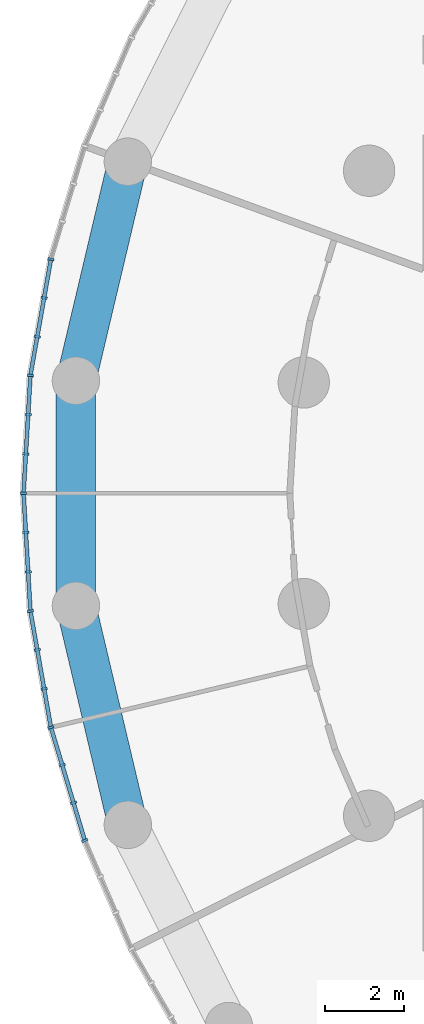
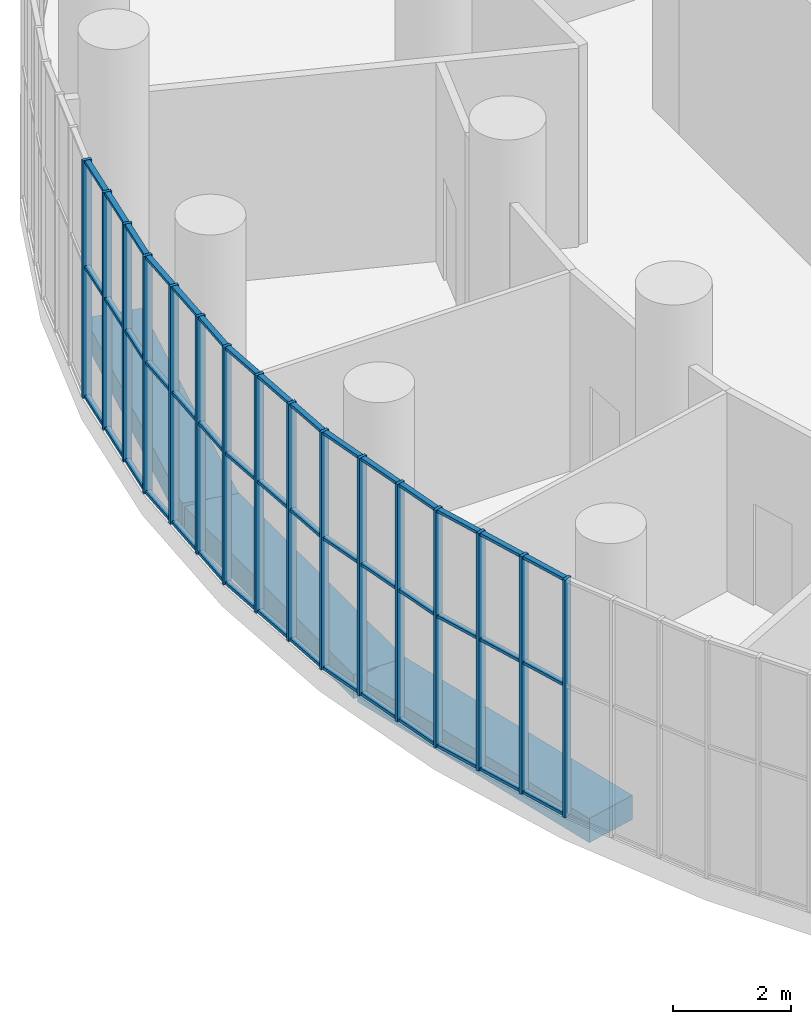
# One storey, part 4 of 21: 31 members, 3 beams, 6 elements without a shape of their own.
"""IFC4 building model written with IfcOpenShell, lengths in metres."""

from ifc_helpers import new_model, si_unit, direction, frame, origin, origin_2d, place, context, subcontext, project, spatial, rectangle, extrude, material, layer, layer_set, material_profile, profile_set, type_object, element, aggregate, save


model = new_model("IFC4")

# Units and contexts
model_context = context("Model", 3, precision=1e-05, world=origin(), true_north=direction((0.0, 1.0)))
body_context = subcontext(model_context, "Body", "Model", "MODEL_VIEW")
ifc_project = project(units=[si_unit("LENGTHUNIT", "METRE"), si_unit("AREAUNIT", "SQUARE_METRE"), si_unit("VOLUMEUNIT", "CUBIC_METRE"), si_unit("PLANEANGLEUNIT", "RADIAN"), si_unit("MASSUNIT", "GRAM", prefix="KILO")], contexts=[model_context])

# Site, building, storey
site_placement = place(None, origin())
site = spatial("IfcSite", under=ifc_project, at=site_placement, CompositionType="ELEMENT")
building_placement = place(site_placement, origin())
building = spatial("IfcBuilding", under=site, at=building_placement, Name="Tracery Tower", CompositionType="ELEMENT")
storey_placement = place(building_placement, frame((0.0, 0.0, 219.60009765625)))
storey = spatial("IfcBuildingStorey", under=building, at=storey_placement, Name="L57", CompositionType="ELEMENT", Elevation=219.60009765625)

# Beams
ifc_material_1 = material(Name="Concrete C50/60", Category="concrete")
ifc_material_profile_1 = material_profile(ifc_material_1, rectangle(XDim=1.0, YDim=0.5, at=origin_2d()), Name="RC 1000x500")
ifc_profile_set_1 = profile_set([ifc_material_profile_1], Name="Concrete C50/60")
beam_type = type_object("IfcBeamType", Name="Perimeter band beam 1000x500 under 450 slab", PredefinedType="BEAM", material=ifc_profile_set_1)
beam_1_placement = place(storey_placement, frame((-23.0673828125, 8.395751953125, -0.7001953125), z_axis=(-0.230583793756, -0.973052472407, 0.0), x_axis=(0.973052472407, -0.230583793756, 0.0)))
element("IfcBeam", 1, at=beam_1_placement, inside=storey, type_object=beam_type, Name="Perimeter beam 1.12 under L57", PredefinedType="BEAM", context=body_context, shape_type="SweptSolid", body=[
    extrude(rectangle(XDim=1.0, YDim=0.5, at=origin_2d()), origin(), (0.0, 0.0, 1.0), 5.699462890625),
])
beam_2_placement = place(storey_placement, frame((-24.381591796875, 2.849853515625, -0.7001953125), z_axis=(0.0, -1.0, 0.0), x_axis=(1.0, 0.0, 0.0)))
element("IfcBeam", 2, at=beam_2_placement, inside=storey, type_object=beam_type, Name="Perimeter beam 1.13 under L57", PredefinedType="BEAM", context=body_context, shape_type="SweptSolid", body=[
    extrude(rectangle(XDim=1.0, YDim=0.5, at=origin_2d()), origin(), (0.0, 0.0, 1.0), 5.69970703125),
])
beam_3_placement = place(storey_placement, frame((-24.381591796875, -2.849853515625, -0.7001953125), z_axis=(0.230583793756, -0.973052472407, 0.0), x_axis=(0.973052472407, 0.230583793756, 0.0)))
element("IfcBeam", 3, at=beam_3_placement, inside=storey, type_object=beam_type, Name="Perimeter beam 1.14 under L57", PredefinedType="BEAM", context=body_context, shape_type="SweptSolid", body=[
    extrude(rectangle(XDim=1.0, YDim=0.5, at=origin_2d()), origin(), (0.0, 0.0, 1.0), 5.699462890625),
])

# Curtain wall, members
ifc_material_2 = material(Name="Aluminium curtain wall with tinted glass", Category="aluminium")
ifc_layer = layer(ifc_material_2, 0.159912109375)
ifc_layer_set = layer_set([ifc_layer], Name="Sky lounge 2 tracery curtain wall")
curtain_wall_type = type_object("IfcCurtainWallType", Name="Sky lounge 2 tracery curtain wall", PredefinedType="NOTDEFINED", material=ifc_layer_set)
curtain_wall_1_placement = place(storey_placement, origin())
curtain_wall_1 = element("IfcCurtainWall", 4, at=curtain_wall_1_placement, inside=storey, type_object=curtain_wall_type, Name="Sky lounge 2 curtain wall run 26", PredefinedType="NOTDEFINED")
ifc_material_3 = material(Name="Aluminium, bronze anodised", Category="aluminium")
ifc_material_profile_2 = material_profile(ifc_material_3, rectangle(XDim=0.159912109375, YDim=0.06005859375, at=origin_2d()), Name="AL 60x160")
ifc_profile_set_2 = profile_set([ifc_material_profile_2], Name="Aluminium, bronze anodised")
member_type_1 = type_object("IfcMemberType", Name="Sky lounge 2 mullion 60 x 160", PredefinedType="MULLION", material=ifc_profile_set_2)
member_1_placement = place(storey_placement, frame((-25.0146484375, 5.928466796875, 0.0), z_axis=(0.0, 0.0, 1.0), x_axis=(0.984807753012, -0.173648177667, 0.0)))
member_1 = element("IfcMember", 5, at=member_1_placement, type_object=member_type_1, Name="Sky lounge 2 curtain wall run 26 mullion 1", PredefinedType="MULLION", context=body_context, shape_type="SweptSolid", body=[
    extrude(rectangle(XDim=0.159912109375, YDim=0.06005859375, at=origin_2d()), origin(), (0.0, 0.0, 1.0), 4.89990234375),
])
member_2_placement = place(storey_placement, frame((-25.187744140625, 4.947265625, 0.0), z_axis=(0.0, 0.0, 1.0), x_axis=(0.984807753012, -0.173648177667, 0.0)))
member_2 = element("IfcMember", 6, at=member_2_placement, type_object=member_type_1, Name="Sky lounge 2 curtain wall run 26 mullion 2", PredefinedType="MULLION", context=body_context, shape_type="SweptSolid", body=[
    extrude(rectangle(XDim=0.159912109375, YDim=0.06005859375, at=origin_2d()), origin(), (0.0, 0.0, 1.0), 4.89990234375),
])
member_3_placement = place(storey_placement, frame((-25.360595703125, 3.9658203125, 0.0), z_axis=(0.0, 0.0, 1.0), x_axis=(0.984807753012, -0.173648177667, 0.0)))
member_3 = element("IfcMember", 7, at=member_3_placement, type_object=member_type_1, Name="Sky lounge 2 curtain wall run 26 mullion 3", PredefinedType="MULLION", context=body_context, shape_type="SweptSolid", body=[
    extrude(rectangle(XDim=0.159912109375, YDim=0.06005859375, at=origin_2d()), origin(), (0.0, 0.0, 1.0), 4.89990234375),
])

curtain_wall_2_placement = place(storey_placement, origin())
curtain_wall_2 = element("IfcCurtainWall", 8, at=curtain_wall_2_placement, inside=storey, type_object=curtain_wall_type, Name="Sky lounge 2 curtain wall run 27", PredefinedType="NOTDEFINED")
member_4_placement = place(storey_placement, frame((-25.53369140625, 2.984375, 0.0), z_axis=(0.0, 0.0, 1.0), x_axis=(0.998308158272, -0.058144828905, 0.0)))
member_4 = element("IfcMember", 9, at=member_4_placement, type_object=member_type_1, Name="Sky lounge 2 curtain wall run 27 mullion 1", PredefinedType="MULLION", context=body_context, shape_type="SweptSolid", body=[
    extrude(rectangle(XDim=0.159912109375, YDim=0.06005859375, at=origin_2d()), origin(), (0.0, 0.0, 1.0), 4.89990234375),
])
member_5_placement = place(storey_placement, frame((-25.591552734375, 1.98974609375, 0.0), z_axis=(0.0, 0.0, 1.0), x_axis=(0.998308158272, -0.058144828905, 0.0)))
member_5 = element("IfcMember", 10, at=member_5_placement, type_object=member_type_1, Name="Sky lounge 2 curtain wall run 27 mullion 2", PredefinedType="MULLION", context=body_context, shape_type="SweptSolid", body=[
    extrude(rectangle(XDim=0.159912109375, YDim=0.06005859375, at=origin_2d()), origin(), (0.0, 0.0, 1.0), 4.89990234375),
])
member_6_placement = place(storey_placement, frame((-25.649658203125, 0.994873046875, 0.0), z_axis=(0.0, 0.0, 1.0), x_axis=(0.998308158272, -0.058144828905, 0.0)))
member_6 = element("IfcMember", 11, at=member_6_placement, type_object=member_type_1, Name="Sky lounge 2 curtain wall run 27 mullion 3", PredefinedType="MULLION", context=body_context, shape_type="SweptSolid", body=[
    extrude(rectangle(XDim=0.159912109375, YDim=0.06005859375, at=origin_2d()), origin(), (0.0, 0.0, 1.0), 4.89990234375),
])

curtain_wall_3_placement = place(storey_placement, origin())
curtain_wall_3 = element("IfcCurtainWall", 12, at=curtain_wall_3_placement, inside=storey, type_object=curtain_wall_type, Name="Sky lounge 2 curtain wall run 28", PredefinedType="NOTDEFINED")
member_7_placement = place(storey_placement, frame((-25.70751953125, 0.0, 0.0), z_axis=(0.0, 0.0, 1.0), x_axis=(0.998308158272, 0.058144828905, 0.0)))
member_7 = element("IfcMember", 13, at=member_7_placement, type_object=member_type_1, Name="Sky lounge 2 curtain wall run 28 mullion 1", PredefinedType="MULLION", context=body_context, shape_type="SweptSolid", body=[
    extrude(rectangle(XDim=0.159912109375, YDim=0.06005859375, at=origin_2d()), origin(), (0.0, 0.0, 1.0), 4.89990234375),
])
member_8_placement = place(storey_placement, frame((-25.649658203125, -0.994873046875, 0.0), z_axis=(0.0, 0.0, 1.0), x_axis=(0.998308158272, 0.058144828905, 0.0)))
member_8 = element("IfcMember", 14, at=member_8_placement, type_object=member_type_1, Name="Sky lounge 2 curtain wall run 28 mullion 2", PredefinedType="MULLION", context=body_context, shape_type="SweptSolid", body=[
    extrude(rectangle(XDim=0.159912109375, YDim=0.06005859375, at=origin_2d()), origin(), (0.0, 0.0, 1.0), 4.89990234375),
])
member_9_placement = place(storey_placement, frame((-25.591552734375, -1.98974609375, 0.0), z_axis=(0.0, 0.0, 1.0), x_axis=(0.998308158272, 0.058144828905, 0.0)))
member_9 = element("IfcMember", 15, at=member_9_placement, type_object=member_type_1, Name="Sky lounge 2 curtain wall run 28 mullion 3", PredefinedType="MULLION", context=body_context, shape_type="SweptSolid", body=[
    extrude(rectangle(XDim=0.159912109375, YDim=0.06005859375, at=origin_2d()), origin(), (0.0, 0.0, 1.0), 4.89990234375),
])

curtain_wall_4_placement = place(storey_placement, origin())
curtain_wall_4 = element("IfcCurtainWall", 16, at=curtain_wall_4_placement, inside=storey, type_object=curtain_wall_type, Name="Sky lounge 2 curtain wall run 29", PredefinedType="NOTDEFINED")
member_10_placement = place(storey_placement, frame((-25.53369140625, -2.984375, 0.0), z_axis=(0.0, 0.0, 1.0), x_axis=(0.984807753012, 0.173648177667, 0.0)))
member_10 = element("IfcMember", 17, at=member_10_placement, type_object=member_type_1, Name="Sky lounge 2 curtain wall run 29 mullion 1", PredefinedType="MULLION", context=body_context, shape_type="SweptSolid", body=[
    extrude(rectangle(XDim=0.159912109375, YDim=0.06005859375, at=origin_2d()), origin(), (0.0, 0.0, 1.0), 4.89990234375),
])
member_11_placement = place(storey_placement, frame((-25.360595703125, -3.9658203125, 0.0), z_axis=(0.0, 0.0, 1.0), x_axis=(0.984807753012, 0.173648177667, 0.0)))
member_11 = element("IfcMember", 18, at=member_11_placement, type_object=member_type_1, Name="Sky lounge 2 curtain wall run 29 mullion 2", PredefinedType="MULLION", context=body_context, shape_type="SweptSolid", body=[
    extrude(rectangle(XDim=0.159912109375, YDim=0.06005859375, at=origin_2d()), origin(), (0.0, 0.0, 1.0), 4.89990234375),
])
member_12_placement = place(storey_placement, frame((-25.187744140625, -4.947265625, 0.0), z_axis=(0.0, 0.0, 1.0), x_axis=(0.984807753012, 0.173648177667, 0.0)))
member_12 = element("IfcMember", 19, at=member_12_placement, type_object=member_type_1, Name="Sky lounge 2 curtain wall run 29 mullion 3", PredefinedType="MULLION", context=body_context, shape_type="SweptSolid", body=[
    extrude(rectangle(XDim=0.159912109375, YDim=0.06005859375, at=origin_2d()), origin(), (0.0, 0.0, 1.0), 4.89990234375),
])

curtain_wall_5_placement = place(storey_placement, origin())
curtain_wall_5 = element("IfcCurtainWall", 20, at=curtain_wall_5_placement, inside=storey, type_object=curtain_wall_type, Name="Sky lounge 2 curtain wall run 30", PredefinedType="NOTDEFINED")
member_13_placement = place(storey_placement, frame((-25.0146484375, -5.928466796875, 0.0), z_axis=(0.0, 0.0, 1.0), x_axis=(0.957989512314, 0.286803232717, 0.0)))
member_13 = element("IfcMember", 21, at=member_13_placement, type_object=member_type_1, Name="Sky lounge 2 curtain wall run 30 mullion 1", PredefinedType="MULLION", context=body_context, shape_type="SweptSolid", body=[
    extrude(rectangle(XDim=0.159912109375, YDim=0.06005859375, at=origin_2d()), origin(), (0.0, 0.0, 1.0), 4.89990234375),
])
member_14_placement = place(storey_placement, frame((-24.728759765625, -6.88330078125, 0.0), z_axis=(0.0, 0.0, 1.0), x_axis=(0.957989512314, 0.286803232717, 0.0)))
member_14 = element("IfcMember", 22, at=member_14_placement, type_object=member_type_1, Name="Sky lounge 2 curtain wall run 30 mullion 2", PredefinedType="MULLION", context=body_context, shape_type="SweptSolid", body=[
    extrude(rectangle(XDim=0.159912109375, YDim=0.06005859375, at=origin_2d()), origin(), (0.0, 0.0, 1.0), 4.89990234375),
])
member_15_placement = place(storey_placement, frame((-24.443115234375, -7.837890625, 0.0), z_axis=(0.0, 0.0, 1.0), x_axis=(0.957989512314, 0.286803232717, 0.0)))
member_15 = element("IfcMember", 23, at=member_15_placement, type_object=member_type_1, Name="Sky lounge 2 curtain wall run 30 mullion 3", PredefinedType="MULLION", context=body_context, shape_type="SweptSolid", body=[
    extrude(rectangle(XDim=0.159912109375, YDim=0.06005859375, at=origin_2d()), origin(), (0.0, 0.0, 1.0), 4.89990234375),
])

# Curtain wall, member
curtain_wall_6_placement = place(storey_placement, origin())
curtain_wall_6 = element("IfcCurtainWall", 24, at=curtain_wall_6_placement, inside=storey, type_object=curtain_wall_type, Name="Sky lounge 2 curtain wall run 31", PredefinedType="NOTDEFINED")
member_16_placement = place(storey_placement, frame((-24.1572265625, -8.79248046875, 0.0), z_axis=(0.0, 0.0, 1.0), x_axis=(0.918216106883, 0.396079766034, 0.0)))
member_16 = element("IfcMember", 25, at=member_16_placement, type_object=member_type_1, Name="Sky lounge 2 curtain wall run 31 mullion 1", PredefinedType="MULLION", context=body_context, shape_type="SweptSolid", body=[
    extrude(rectangle(XDim=0.159912109375, YDim=0.06005859375, at=origin_2d()), origin(), (0.0, 0.0, 1.0), 4.89990234375),
])
aggregate(curtain_wall_6, [member_16])

# Member
ifc_material_4 = material(Name="Aluminium, bronze anodised", Category="aluminium")
ifc_material_profile_3 = material_profile(ifc_material_4, rectangle(XDim=0.10009765625, YDim=0.06005859375, at=origin_2d()), Name="AL 60x100")
ifc_profile_set_3 = profile_set([ifc_material_profile_3], Name="Aluminium, bronze anodised")
member_type_2 = type_object("IfcMemberType", Name="Sky lounge 2 transom 60 x 100", PredefinedType="USERDEFINED", material=ifc_profile_set_3)
member_17_placement = place(storey_placement, frame((-25.019775390625, 5.89892578125, 0.02978515625), z_axis=(-0.173675986925, -0.984802849085, 0.0), x_axis=(0.984802849085, -0.173675986925, 0.0)))
member_17 = element("IfcMember", 26, at=member_17_placement, type_object=member_type_2, Name="Sky lounge 2 curtain wall run 26 transom 1", ObjectType="TRANSOM", PredefinedType="USERDEFINED", context=body_context, shape_type="SweptSolid", body=[
    extrude(rectangle(XDim=0.10009765625, YDim=0.06005859375, at=origin_2d()), origin(), (0.0, 0.0, 1.0), 2.929443359375),
])

member_18_placement = place(storey_placement, frame((-25.019775390625, 5.89892578125, 2.699951171875), z_axis=(-0.173675986925, -0.984802849085, 0.0), x_axis=(0.984802849085, -0.173675986925, 0.0)))
member_18 = element("IfcMember", 27, at=member_18_placement, type_object=member_type_2, Name="Sky lounge 2 curtain wall run 26 transom 2", ObjectType="TRANSOM", PredefinedType="USERDEFINED", context=body_context, shape_type="SweptSolid", body=[
    extrude(rectangle(XDim=0.10009765625, YDim=0.06005859375, at=origin_2d()), origin(), (0.0, 0.0, 1.0), 2.929443359375),
])

member_19_placement = place(storey_placement, frame((-25.019775390625, 5.89892578125, 4.869873046875), z_axis=(-0.173675986925, -0.984802849085, 0.0), x_axis=(0.984802849085, -0.173675986925, 0.0)))
member_19 = element("IfcMember", 28, at=member_19_placement, type_object=member_type_2, Name="Sky lounge 2 curtain wall run 26 transom 3", ObjectType="TRANSOM", PredefinedType="USERDEFINED", context=body_context, shape_type="SweptSolid", body=[
    extrude(rectangle(XDim=0.10009765625, YDim=0.06005859375, at=origin_2d()), origin(), (0.0, 0.0, 1.0), 2.929443359375),
])

aggregate(curtain_wall_1, [member_1, member_2, member_3, member_17, member_18, member_19])

member_20_placement = place(storey_placement, frame((-25.535400390625, 2.95458984375, 0.02978515625), z_axis=(-0.058169970128, -0.998306693644, 0.0), x_axis=(0.998306693644, -0.058169970128, 0.0)))
member_20 = element("IfcMember", 29, at=member_20_placement, type_object=member_type_2, Name="Sky lounge 2 curtain wall run 27 transom 1", ObjectType="TRANSOM", PredefinedType="USERDEFINED", context=body_context, shape_type="SweptSolid", body=[
    extrude(rectangle(XDim=0.10009765625, YDim=0.06005859375, at=origin_2d()), origin(), (0.0, 0.0, 1.0), 2.929443359375),
])

member_21_placement = place(storey_placement, frame((-25.535400390625, 2.95458984375, 2.699951171875), z_axis=(-0.058169970128, -0.998306693644, 0.0), x_axis=(0.998306693644, -0.058169970128, 0.0)))
member_21 = element("IfcMember", 30, at=member_21_placement, type_object=member_type_2, Name="Sky lounge 2 curtain wall run 27 transom 2", ObjectType="TRANSOM", PredefinedType="USERDEFINED", context=body_context, shape_type="SweptSolid", body=[
    extrude(rectangle(XDim=0.10009765625, YDim=0.06005859375, at=origin_2d()), origin(), (0.0, 0.0, 1.0), 2.929443359375),
])

member_22_placement = place(storey_placement, frame((-25.535400390625, 2.95458984375, 4.869873046875), z_axis=(-0.058169970128, -0.998306693644, 0.0), x_axis=(0.998306693644, -0.058169970128, 0.0)))
member_22 = element("IfcMember", 31, at=member_22_placement, type_object=member_type_2, Name="Sky lounge 2 curtain wall run 27 transom 3", ObjectType="TRANSOM", PredefinedType="USERDEFINED", context=body_context, shape_type="SweptSolid", body=[
    extrude(rectangle(XDim=0.10009765625, YDim=0.06005859375, at=origin_2d()), origin(), (0.0, 0.0, 1.0), 2.929443359375),
])

aggregate(curtain_wall_2, [member_4, member_5, member_6, member_20, member_21, member_22])

member_23_placement = place(storey_placement, frame((-25.705810546875, -0.030029296875, 0.02978515625), z_axis=(0.058169970128, -0.998306693644, 0.0), x_axis=(0.998306693644, 0.058169970128, 0.0)))
member_23 = element("IfcMember", 32, at=member_23_placement, type_object=member_type_2, Name="Sky lounge 2 curtain wall run 28 transom 1", ObjectType="TRANSOM", PredefinedType="USERDEFINED", context=body_context, shape_type="SweptSolid", body=[
    extrude(rectangle(XDim=0.10009765625, YDim=0.06005859375, at=origin_2d()), origin(), (0.0, 0.0, 1.0), 2.929443359375),
])

member_24_placement = place(storey_placement, frame((-25.705810546875, -0.030029296875, 2.699951171875), z_axis=(0.058169970128, -0.998306693644, 0.0), x_axis=(0.998306693644, 0.058169970128, 0.0)))
member_24 = element("IfcMember", 33, at=member_24_placement, type_object=member_type_2, Name="Sky lounge 2 curtain wall run 28 transom 2", ObjectType="TRANSOM", PredefinedType="USERDEFINED", context=body_context, shape_type="SweptSolid", body=[
    extrude(rectangle(XDim=0.10009765625, YDim=0.06005859375, at=origin_2d()), origin(), (0.0, 0.0, 1.0), 2.929443359375),
])

member_25_placement = place(storey_placement, frame((-25.705810546875, -0.030029296875, 4.869873046875), z_axis=(0.058169970128, -0.998306693644, 0.0), x_axis=(0.998306693644, 0.058169970128, 0.0)))
member_25 = element("IfcMember", 34, at=member_25_placement, type_object=member_type_2, Name="Sky lounge 2 curtain wall run 28 transom 3", ObjectType="TRANSOM", PredefinedType="USERDEFINED", context=body_context, shape_type="SweptSolid", body=[
    extrude(rectangle(XDim=0.10009765625, YDim=0.06005859375, at=origin_2d()), origin(), (0.0, 0.0, 1.0), 2.929443359375),
])

aggregate(curtain_wall_3, [member_7, member_8, member_9, member_23, member_24, member_25])

member_26_placement = place(storey_placement, frame((-25.528564453125, -3.013916015625, 0.02978515625), z_axis=(0.173675986925, -0.984802849085, 0.0), x_axis=(0.984802849085, 0.173675986925, 0.0)))
member_26 = element("IfcMember", 35, at=member_26_placement, type_object=member_type_2, Name="Sky lounge 2 curtain wall run 29 transom 1", ObjectType="TRANSOM", PredefinedType="USERDEFINED", context=body_context, shape_type="SweptSolid", body=[
    extrude(rectangle(XDim=0.10009765625, YDim=0.06005859375, at=origin_2d()), origin(), (0.0, 0.0, 1.0), 2.929443359375),
])

member_27_placement = place(storey_placement, frame((-25.528564453125, -3.013916015625, 2.699951171875), z_axis=(0.173675986925, -0.984802849085, 0.0), x_axis=(0.984802849085, 0.173675986925, 0.0)))
member_27 = element("IfcMember", 36, at=member_27_placement, type_object=member_type_2, Name="Sky lounge 2 curtain wall run 29 transom 2", ObjectType="TRANSOM", PredefinedType="USERDEFINED", context=body_context, shape_type="SweptSolid", body=[
    extrude(rectangle(XDim=0.10009765625, YDim=0.06005859375, at=origin_2d()), origin(), (0.0, 0.0, 1.0), 2.929443359375),
])

member_28_placement = place(storey_placement, frame((-25.528564453125, -3.013916015625, 4.869873046875), z_axis=(0.173675986925, -0.984802849085, 0.0), x_axis=(0.984802849085, 0.173675986925, 0.0)))
member_28 = element("IfcMember", 37, at=member_28_placement, type_object=member_type_2, Name="Sky lounge 2 curtain wall run 29 transom 3", ObjectType="TRANSOM", PredefinedType="USERDEFINED", context=body_context, shape_type="SweptSolid", body=[
    extrude(rectangle(XDim=0.10009765625, YDim=0.06005859375, at=origin_2d()), origin(), (0.0, 0.0, 1.0), 2.929443359375),
])

aggregate(curtain_wall_4, [member_10, member_11, member_12, member_26, member_27, member_28])

member_29_placement = place(storey_placement, frame((-25.006103515625, -5.957275390625, 0.02978515625), z_axis=(0.286850874601, -0.957975247979, 0.0), x_axis=(0.957975247979, 0.286850874601, 0.0)))
member_29 = element("IfcMember", 38, at=member_29_placement, type_object=member_type_2, Name="Sky lounge 2 curtain wall run 30 transom 1", ObjectType="TRANSOM", PredefinedType="USERDEFINED", context=body_context, shape_type="SweptSolid", body=[
    extrude(rectangle(XDim=0.10009765625, YDim=0.06005859375, at=origin_2d()), origin(), (0.0, 0.0, 1.0), 2.929443359375),
])

member_30_placement = place(storey_placement, frame((-25.006103515625, -5.957275390625, 2.699951171875), z_axis=(0.286850874601, -0.957975247979, 0.0), x_axis=(0.957975247979, 0.286850874601, 0.0)))
member_30 = element("IfcMember", 39, at=member_30_placement, type_object=member_type_2, Name="Sky lounge 2 curtain wall run 30 transom 2", ObjectType="TRANSOM", PredefinedType="USERDEFINED", context=body_context, shape_type="SweptSolid", body=[
    extrude(rectangle(XDim=0.10009765625, YDim=0.06005859375, at=origin_2d()), origin(), (0.0, 0.0, 1.0), 2.929443359375),
])

member_31_placement = place(storey_placement, frame((-25.006103515625, -5.957275390625, 4.869873046875), z_axis=(0.286850874601, -0.957975247979, 0.0), x_axis=(0.957975247979, 0.286850874601, 0.0)))
member_31 = element("IfcMember", 40, at=member_31_placement, type_object=member_type_2, Name="Sky lounge 2 curtain wall run 30 transom 3", ObjectType="TRANSOM", PredefinedType="USERDEFINED", context=body_context, shape_type="SweptSolid", body=[
    extrude(rectangle(XDim=0.10009765625, YDim=0.06005859375, at=origin_2d()), origin(), (0.0, 0.0, 1.0), 2.929443359375),
])

aggregate(curtain_wall_5, [member_13, member_14, member_15, member_29, member_30, member_31])

save(model, "model.ifc")
